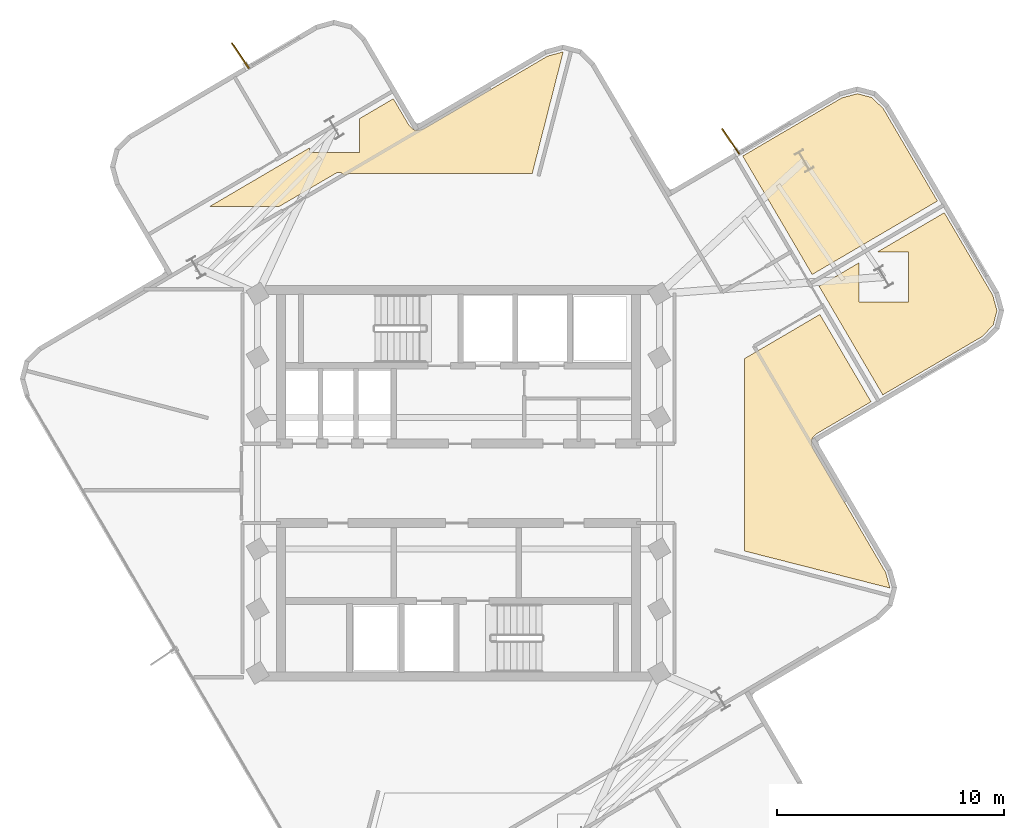
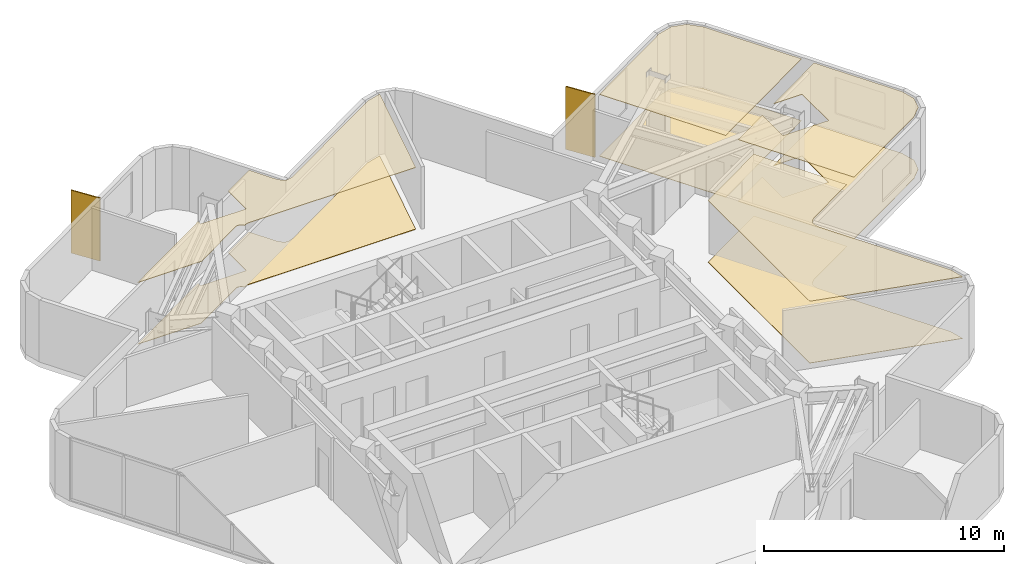
# One storey, part 9 of 9: 8 coverings, 2 shading devices.
"""IFC4 building model written with IfcOpenShell, lengths in metres."""

from ifc_helpers import new_model, si_unit, direction, frame, origin, origin_2d, place, context, subcontext, project, spatial, polyline, rectangle, outline, extrude, material, layer, layer_set, type_object, element, save


model = new_model("IFC4")

# Units and contexts
model_context = context("Model", 3, precision=1e-05, world=origin(), true_north=direction((0.0, 1.0)))
body_context = subcontext(model_context, "Body", "Model", "MODEL_VIEW")
ifc_project = project(units=[si_unit("LENGTHUNIT", "METRE"), si_unit("AREAUNIT", "SQUARE_METRE"), si_unit("VOLUMEUNIT", "CUBIC_METRE"), si_unit("PLANEANGLEUNIT", "RADIAN"), si_unit("MASSUNIT", "GRAM", prefix="KILO")], contexts=[model_context])

# Site, building, storey
site_placement = place(None, origin())
site = spatial("IfcSite", under=ifc_project, at=site_placement, CompositionType="ELEMENT")
building_placement = place(site_placement, origin())
building = spatial("IfcBuilding", under=site, at=building_placement, Name="Solmarez Civic Tower", CompositionType="ELEMENT")
storey_placement = place(building_placement, frame((0.0, 0.0, 208.6201171875)))
storey = spatial("IfcBuildingStorey", under=building, at=storey_placement, Name="L55", CompositionType="ELEMENT", Elevation=208.6201171875)

# Coverings
ifc_material_1 = material(Name="Perforated Mineral-Fibre Acoustic Ceiling")
ifc_layer_1 = layer(ifc_material_1, 0.02490234375)
ifc_layer_set_1 = layer_set([ifc_layer_1], Name="Perforated Mineral-Fibre Acoustic Ceiling")
covering_type_1 = type_object("IfcCoveringType", Name="COV-CEIL-ACOUSTIC", PredefinedType="CEILING", material=ifc_layer_set_1)
covering_1_placement = place(storey_placement, frame((0.0, 0.0, 3.134765625)))
element("IfcCovering", 1, at=covering_1_placement, inside=storey, type_object=covering_type_1, Name="L55 Suspended Acoustic Ceiling 1", PredefinedType="CEILING", context=body_context, shape_type="SweptSolid", body=[
    extrude(outline(polyline([(-10.9619140625, 12.199951171875), (-7.89794921875, 12.199951171875), (-5.402099609375, 13.6640625), (-5.3798828125, 13.675048828125), (-5.37109375, 13.678955078125), (-5.34912109375, 13.68798828125), (-5.324951171875, 13.694091796875), (-5.320068359375, 13.695068359375), (-5.299072265625, 13.697998046875), (-5.277099609375, 13.698974609375), (-5.26708984375, 13.698974609375), (-5.2451171875, 13.697998046875), (-5.22412109375, 13.695068359375), (-5.218994140625, 13.694091796875), (-5.214111328125, 13.693115234375), (-5.205078125, 13.69091796875), (-5.18798828125, 13.68603515625), (-5.1708984375, 13.679931640625), (-5.166015625, 13.677978515625), (-5.14794921875, 13.669921875), (-5.131103515625, 13.660888671875), (-5.123046875, 13.656005859375), (-5.10302734375, 13.64111328125), (-5.083984375, 13.625), (-5.076904296875, 13.617919921875), (-5.056884765625, 13.593994140625), (-5.051025390625, 13.5859375), (-5.0390625, 13.568115234375), (-4.85107421875, 13.635986328125), (-4.844970703125, 13.637939453125), (-4.818115234375, 13.64501953125), (-4.81298828125, 13.64599609375), (-4.7919921875, 13.64892578125), (-4.77001953125, 13.64990234375), (3.2490234375, 13.64990234375), (4.614013671875, 19.010986328125), (4.60791015625, 19.011962890625), (3.924072265625, 18.823974609375), (-1.510009765625, 15.635986328125), (-1.52294921875, 15.62890625), (-1.534912109375, 15.623046875), (-1.552978515625, 15.614990234375), (-1.572998046875, 15.60791015625), (-1.5810546875, 15.60595703125), (-1.74609375, 15.56005859375), (-1.7529296875, 15.55810546875), (-1.76904296875, 15.553955078125), (-1.785888671875, 15.552001953125), (-1.7939453125, 15.551025390625), (-1.821044921875, 15.549072265625), (-1.827880859375, 15.549072265625), (-1.85498046875, 15.551025390625), (-1.866943359375, 15.552001953125), (-1.8740234375, 15.552978515625), (-1.89599609375, 15.55810546875), (-1.904052734375, 15.56005859375), (-1.910888671875, 15.56103515625), (-1.91796875, 15.56298828125), (-1.943115234375, 15.572021484375), (-1.967041015625, 15.583984375), (-1.97412109375, 15.587890625), (-1.987060546875, 15.595947265625), (-1.992919921875, 15.60009765625), (-1.9990234375, 15.60400390625), (-2.01806640625, 15.617919921875), (-2.02392578125, 15.623046875), (-2.0380859375, 15.635986328125), (-2.160888671875, 15.757080078125), (-2.166015625, 15.761962890625), (-2.178955078125, 15.777099609375), (-2.18408203125, 15.782958984375), (-2.194091796875, 15.797119140625), (-2.2041015625, 15.81103515625), (-2.2080078125, 15.818115234375), (-2.8701171875, 16.947021484375), (-4.367919921875, 16.068115234375), (-4.367919921875, 14.571044921875), (-6.568115234375, 14.571044921875), (-6.568115234375, 14.778076171875), (-10.9619140625, 12.199951171875)])), origin(), (0.0, 0.0, 1.0), 0.025146484375),
])
covering_2_placement = place(storey_placement, frame((0.0, 0.0, 3.134765625)))
element("IfcCovering", 2, at=covering_2_placement, inside=storey, type_object=covering_type_1, Name="L55 Suspended Acoustic Ceiling 3", PredefinedType="CEILING", context=body_context, shape_type="SweptSolid", body=[
    extrude(outline(polyline([(12.60009765625, 5.490966796875), (12.60009765625, -2.98193359375), (19.010986328125, -4.614013671875), (19.011962890625, -4.60791015625), (18.823974609375, -3.924072265625), (15.635986328125, 1.510009765625), (15.62890625, 1.52294921875), (15.623046875, 1.534912109375), (15.614990234375, 1.552978515625), (15.60791015625, 1.572998046875), (15.60595703125, 1.5810546875), (15.56005859375, 1.74609375), (15.55810546875, 1.7529296875), (15.553955078125, 1.76904296875), (15.552001953125, 1.785888671875), (15.551025390625, 1.7939453125), (15.549072265625, 1.821044921875), (15.549072265625, 1.827880859375), (15.551025390625, 1.85498046875), (15.552001953125, 1.866943359375), (15.552978515625, 1.8740234375), (15.55810546875, 1.89599609375), (15.56005859375, 1.904052734375), (15.56103515625, 1.910888671875), (15.56298828125, 1.91796875), (15.572021484375, 1.943115234375), (15.583984375, 1.967041015625), (15.587890625, 1.97412109375), (15.595947265625, 1.987060546875), (15.60009765625, 1.992919921875), (15.60400390625, 1.9990234375), (15.617919921875, 2.01806640625), (15.623046875, 2.02392578125), (15.635986328125, 2.0380859375), (15.757080078125, 2.160888671875), (15.761962890625, 2.166015625), (15.777099609375, 2.178955078125), (15.782958984375, 2.18408203125), (15.797119140625, 2.194091796875), (15.81103515625, 2.2041015625), (15.818115234375, 2.2080078125), (18.180908203125, 3.593994140625), (15.924072265625, 7.44091796875), (12.60009765625, 5.490966796875)])), origin(), (0.0, 0.0, 1.0), 0.025146484375),
])
covering_3_placement = place(storey_placement, frame((0.0, 0.0, 3.134765625)))
element("IfcCovering", 3, at=covering_3_placement, inside=storey, type_object=covering_type_1, Name="L55 Suspended Acoustic Ceiling 4", PredefinedType="CEILING", context=body_context, shape_type="SweptSolid", body=[
    extrude(outline(polyline([(21.10595703125, 12.44091796875), (18.722900390625, 16.50390625), (18.218994140625, 17.0009765625), (17.572998046875, 17.1689453125), (16.888916015625, 16.98193359375), (12.52490234375, 14.4208984375), (15.5859375, 9.201904296875), (21.10595703125, 12.44091796875)])), origin(), (0.0, 0.0, 1.0), 0.025146484375),
])
covering_4_placement = place(storey_placement, frame((0.0, 0.0, 3.134765625)))
element("IfcCovering", 4, at=covering_4_placement, inside=storey, type_object=covering_type_1, Name="L55 Suspended Acoustic Ceiling 5", PredefinedType="CEILING", context=body_context, shape_type="SweptSolid", body=[
    extrude(outline(polyline([(18.697998046875, 3.89794921875), (23.06298828125, 6.458984375), (23.56005859375, 6.962890625), (23.72802734375, 7.60888671875), (23.541015625, 8.2919921875), (21.409912109375, 11.924072265625), (18.467041015625, 10.197021484375), (19.841064453125, 10.197021484375), (19.841064453125, 7.9970703125), (17.64111328125, 7.9970703125), (17.64111328125, 9.7119140625), (15.889892578125, 8.68505859375), (18.697998046875, 3.89794921875)])), origin(), (0.0, 0.0, 1.0), 0.025146484375),
])
ifc_material_2 = material(Name="Polished Tropical Stone Terrazzo Flooring", Category="masonry")
ifc_layer_2 = layer(ifc_material_2, 0.02001953125)
ifc_layer_set_2 = layer_set([ifc_layer_2], Name="Polished Tropical Stone Terrazzo Flooring")
covering_type_2 = type_object("IfcCoveringType", Name="COV-FLOOR-TERRAZZO", PredefinedType="FLOORING", material=ifc_layer_set_2)
covering_5_placement = place(storey_placement, origin())
element("IfcCovering", 5, at=covering_5_placement, inside=storey, type_object=covering_type_2, Name="L55 Terrazzo Floor Finish 1", PredefinedType="FLOORING", context=body_context, shape_type="SweptSolid", body=[
    extrude(outline(polyline([(-10.9619140625, 12.199951171875), (-7.89794921875, 12.199951171875), (-5.402099609375, 13.6640625), (-5.3798828125, 13.675048828125), (-5.37109375, 13.678955078125), (-5.34912109375, 13.68798828125), (-5.324951171875, 13.694091796875), (-5.320068359375, 13.695068359375), (-5.299072265625, 13.697998046875), (-5.277099609375, 13.698974609375), (-5.26708984375, 13.698974609375), (-5.2451171875, 13.697998046875), (-5.22412109375, 13.695068359375), (-5.218994140625, 13.694091796875), (-5.214111328125, 13.693115234375), (-5.205078125, 13.69091796875), (-5.18798828125, 13.68603515625), (-5.1708984375, 13.679931640625), (-5.166015625, 13.677978515625), (-5.14794921875, 13.669921875), (-5.131103515625, 13.660888671875), (-5.123046875, 13.656005859375), (-5.10302734375, 13.64111328125), (-5.083984375, 13.625), (-5.076904296875, 13.617919921875), (-5.056884765625, 13.593994140625), (-5.051025390625, 13.5859375), (-5.0390625, 13.568115234375), (-4.85107421875, 13.635986328125), (-4.844970703125, 13.637939453125), (-4.818115234375, 13.64501953125), (-4.81298828125, 13.64599609375), (-4.7919921875, 13.64892578125), (-4.77001953125, 13.64990234375), (3.2490234375, 13.64990234375), (4.614013671875, 19.010986328125), (4.60791015625, 19.011962890625), (3.924072265625, 18.823974609375), (-1.510009765625, 15.635986328125), (-1.52294921875, 15.62890625), (-1.534912109375, 15.623046875), (-1.552978515625, 15.614990234375), (-1.572998046875, 15.60791015625), (-1.5810546875, 15.60595703125), (-1.74609375, 15.56005859375), (-1.7529296875, 15.55810546875), (-1.76904296875, 15.553955078125), (-1.785888671875, 15.552001953125), (-1.7939453125, 15.551025390625), (-1.821044921875, 15.549072265625), (-1.827880859375, 15.549072265625), (-1.85498046875, 15.551025390625), (-1.866943359375, 15.552001953125), (-1.8740234375, 15.552978515625), (-1.89599609375, 15.55810546875), (-1.904052734375, 15.56005859375), (-1.910888671875, 15.56103515625), (-1.91796875, 15.56298828125), (-1.943115234375, 15.572021484375), (-1.967041015625, 15.583984375), (-1.97412109375, 15.587890625), (-1.987060546875, 15.595947265625), (-1.992919921875, 15.60009765625), (-1.9990234375, 15.60400390625), (-2.01806640625, 15.617919921875), (-2.02392578125, 15.623046875), (-2.0380859375, 15.635986328125), (-2.160888671875, 15.757080078125), (-2.166015625, 15.761962890625), (-2.178955078125, 15.777099609375), (-2.18408203125, 15.782958984375), (-2.194091796875, 15.797119140625), (-2.2041015625, 15.81103515625), (-2.2080078125, 15.818115234375), (-2.8701171875, 16.947021484375), (-4.367919921875, 16.068115234375), (-4.367919921875, 14.571044921875), (-6.568115234375, 14.571044921875), (-6.568115234375, 14.778076171875), (-10.9619140625, 12.199951171875)])), origin(), (0.0, 0.0, 1.0), 0.019775390625),
])
covering_6_placement = place(storey_placement, origin())
element("IfcCovering", 6, at=covering_6_placement, inside=storey, type_object=covering_type_2, Name="L55 Terrazzo Floor Finish 3", PredefinedType="FLOORING", context=body_context, shape_type="SweptSolid", body=[
    extrude(outline(polyline([(12.60009765625, 5.490966796875), (12.60009765625, -2.98193359375), (19.010986328125, -4.614013671875), (19.011962890625, -4.60791015625), (18.823974609375, -3.924072265625), (15.635986328125, 1.510009765625), (15.62890625, 1.52294921875), (15.623046875, 1.534912109375), (15.614990234375, 1.552978515625), (15.60791015625, 1.572998046875), (15.60595703125, 1.5810546875), (15.56005859375, 1.74609375), (15.55810546875, 1.7529296875), (15.553955078125, 1.76904296875), (15.552001953125, 1.785888671875), (15.551025390625, 1.7939453125), (15.549072265625, 1.821044921875), (15.549072265625, 1.827880859375), (15.551025390625, 1.85498046875), (15.552001953125, 1.866943359375), (15.552978515625, 1.8740234375), (15.55810546875, 1.89599609375), (15.56005859375, 1.904052734375), (15.56103515625, 1.910888671875), (15.56298828125, 1.91796875), (15.572021484375, 1.943115234375), (15.583984375, 1.967041015625), (15.587890625, 1.97412109375), (15.595947265625, 1.987060546875), (15.60009765625, 1.992919921875), (15.60400390625, 1.9990234375), (15.617919921875, 2.01806640625), (15.623046875, 2.02392578125), (15.635986328125, 2.0380859375), (15.757080078125, 2.160888671875), (15.761962890625, 2.166015625), (15.777099609375, 2.178955078125), (15.782958984375, 2.18408203125), (15.797119140625, 2.194091796875), (15.81103515625, 2.2041015625), (15.818115234375, 2.2080078125), (18.180908203125, 3.593994140625), (15.924072265625, 7.44091796875), (12.60009765625, 5.490966796875)])), origin(), (0.0, 0.0, 1.0), 0.019775390625),
])
covering_7_placement = place(storey_placement, origin())
element("IfcCovering", 7, at=covering_7_placement, inside=storey, type_object=covering_type_2, Name="L55 Terrazzo Floor Finish 4", PredefinedType="FLOORING", context=body_context, shape_type="SweptSolid", body=[
    extrude(outline(polyline([(21.10595703125, 12.44091796875), (18.722900390625, 16.50390625), (18.218994140625, 17.0009765625), (17.572998046875, 17.1689453125), (16.888916015625, 16.98193359375), (12.52490234375, 14.4208984375), (15.5859375, 9.201904296875), (21.10595703125, 12.44091796875)])), origin(), (0.0, 0.0, 1.0), 0.019775390625),
])
covering_8_placement = place(storey_placement, origin())
element("IfcCovering", 8, at=covering_8_placement, inside=storey, type_object=covering_type_2, Name="L55 Terrazzo Floor Finish 5", PredefinedType="FLOORING", context=body_context, shape_type="SweptSolid", body=[
    extrude(outline(polyline([(18.697998046875, 3.89794921875), (23.06298828125, 6.458984375), (23.56005859375, 6.962890625), (23.72802734375, 7.60888671875), (23.541015625, 8.2919921875), (21.409912109375, 11.924072265625), (18.467041015625, 10.197021484375), (19.841064453125, 10.197021484375), (19.841064453125, 7.9970703125), (17.64111328125, 7.9970703125), (17.64111328125, 9.7119140625), (15.889892578125, 8.68505859375), (18.697998046875, 3.89794921875)])), origin(), (0.0, 0.0, 1.0), 0.019775390625),
])

# Shading devices
ifc_material_3 = material(Name="Bronze Anodised Aluminium EN AW-6063 T6", Category="aluminium")
ifc_layer_3 = layer(ifc_material_3, 0.054931640625)
ifc_layer_set_3 = layer_set([ifc_layer_3], Name="Bronze Anodised Aluminium EN AW-6063 T6")
shading_device_type = type_object("IfcShadingDeviceType", Name="FIN-BRONZE-Z56", PredefinedType="USERDEFINED", material=ifc_layer_set_3)
for number, where, z_axis, x_axis, name in (
    (9, (-9.615966796875, 18.85009765625, -0.0400390625), (0.0, 0.0, 1.0), (-0.559612445448, 0.828754433412, 0.0), "L55 Anodised Bronze Solar Fin FIN-L55-03"),
    (10, (11.9951171875, 15.06689453125, -0.0400390625), (0.0, 0.0, 1.0), (-0.559453325706, 0.828861856015, 0.0), "L55 Anodised Bronze Solar Fin FIN-L55-04"),
):
    element("IfcShadingDevice", number, at=place(storey_placement, frame(where, z_axis=z_axis, x_axis=x_axis)), inside=storey, type_object=shading_device_type, Name=name, ObjectType="FIN", PredefinedType="USERDEFINED", context=body_context, shape_type="SweptSolid", body=[
        extrude(rectangle(XDim=1.35009765625, YDim=0.054931640625, at=origin_2d()), origin(), (0.0, 0.0, 1.0), 3.199951171875),
    ])

save(model, "model.ifc")
